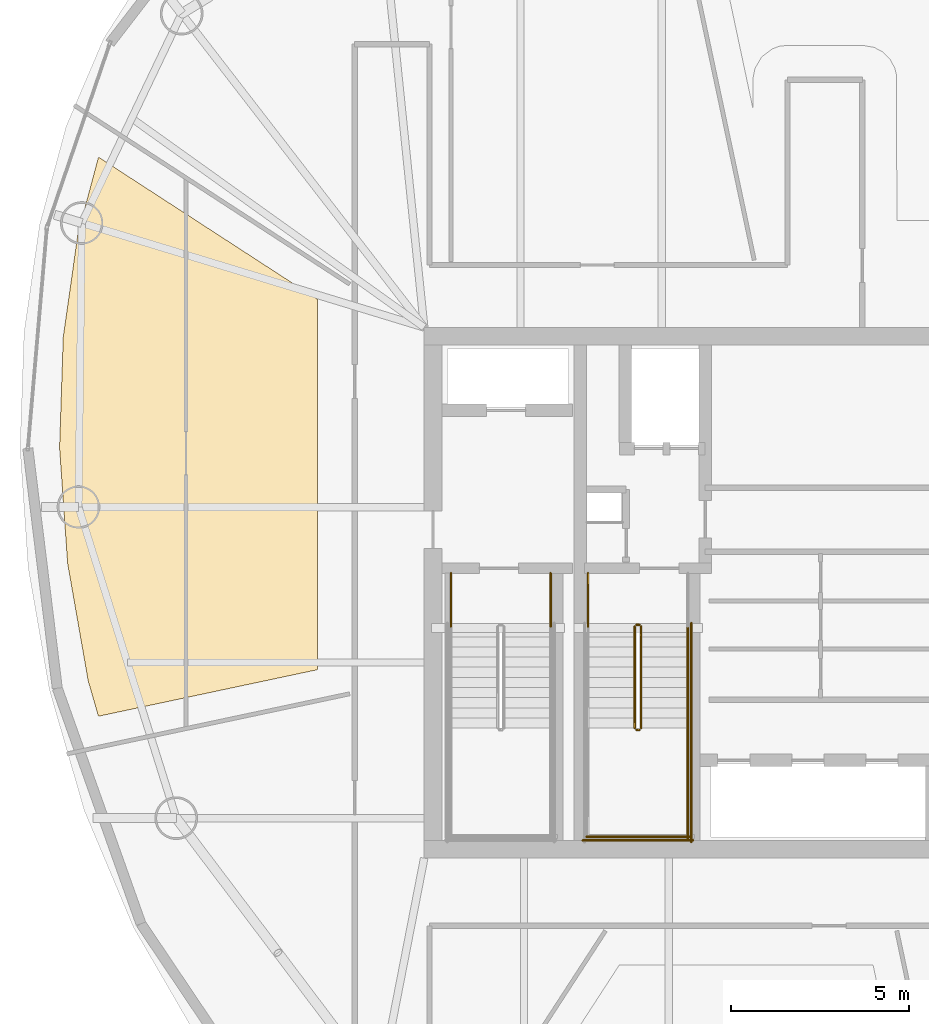
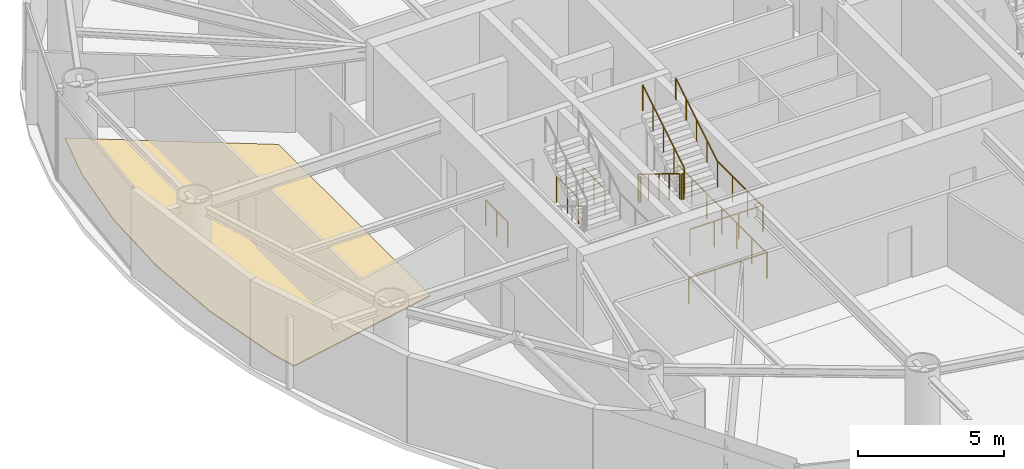
# One storey, part 20 of 22: 12 railings, 1 covering.
"""IFC4 building model written with IfcOpenShell, lengths in metres."""

from ifc_helpers import new_model, si_unit, direction, frame, origin, origin_2d, place, context, subcontext, project, spatial, polyline, circle, outline, extrude, material, layer, layer_set, type_object, element, save


model = new_model("IFC4")

# Units and contexts
model_context = context("Model", 3, precision=1e-05, world=origin(), true_north=direction((0.0, 1.0)))
body_context = subcontext(model_context, "Body", "Model", "MODEL_VIEW")
ifc_project = project(units=[si_unit("LENGTHUNIT", "METRE"), si_unit("AREAUNIT", "SQUARE_METRE"), si_unit("VOLUMEUNIT", "CUBIC_METRE"), si_unit("PLANEANGLEUNIT", "RADIAN"), si_unit("MASSUNIT", "GRAM", prefix="KILO")], contexts=[model_context])

# Site, building, storey
site_placement = place(None, origin())
site = spatial("IfcSite", under=ifc_project, at=site_placement, CompositionType="ELEMENT")
building_placement = place(site_placement, origin())
building = spatial("IfcBuilding", under=site, at=building_placement, Name="Bramvorn Convention Spire", CompositionType="ELEMENT")
storey_placement = place(building_placement, frame((0.0, 0.0, 225.10009765625)))
storey = spatial("IfcBuildingStorey", under=building, at=storey_placement, Name="L57", CompositionType="ELEMENT", Elevation=225.10009765625)

# Covering
ifc_material_1 = material(Name="Calcium-Sulphate Raised Access Office Floor", Category="steel")
ifc_layer = layer(ifc_material_1, 0.044921875)
ifc_layer_set = layer_set([ifc_layer], Name="Calcium-Sulphate Raised Access Office Floor - FLR-RAISED-45")
covering_type = type_object("IfcCoveringType", Name="FLR-RAISED-45", PredefinedType="FLOORING", material=ifc_layer_set)
covering_placement = place(storey_placement, origin())
element("IfcCovering", 1, at=covering_placement, inside=storey, type_object=covering_type, Name="L57 Associate Office Chamber 4 4 raised floor finish", PredefinedType="FLOORING", context=body_context, shape_type="SweptSolid", body=[
    extrude(outline(polyline([(17.31787109375, 23.52294921875), (17.605224609375, 22.533935546875), (23.75, 23.840087890625), (23.75, 34.240478515625), (17.6064453125, 38.230224609375), (17.028564453125, 36.074951171875), (16.6162109375, 33.177734375), (16.512939453125, 30.068603515625), (16.73974609375, 26.822509765625), (17.31787109375, 23.52294921875)])), origin(), (0.0, 0.0, 1.0), 0.044921875),
])

# Railings
ifc_material_2 = material(Name="Painted Steel Balustrade & Guardrail", Category="steel")
railing_type_1 = type_object("IfcRailingType", Name="RL-STAIR-GUARD-1100", PredefinedType="GUARDRAIL", material=ifc_material_2)
for number, where, name in (
    (2, (27.5, 26.550048828125, 0.0), "L57 ST1 stair guard 8"),
    (3, (30.300048828125, 26.550048828125, 0.0), "L57 ST1 stair guard 9"),
):
    element("IfcRailing", number, at=place(storey_placement, frame(where)), inside=storey, type_object=railing_type_1, Name=name, PredefinedType="GUARDRAIL", context=body_context, shape_type="SweptSolid", body=[
        extrude(circle(Radius=0.02392578125, at=origin_2d()), frame((0.0, 0.0, 1.076171875), z_axis=(0.0, -1.0, 0.0), x_axis=(1.0, 0.0, 0.0)), (0.0, 0.0, 1.0), 1.5),
        extrude(circle(Radius=0.02099609375, at=origin_2d()), origin(), (0.0, 0.0, 1.0), 1.052001953125),
        extrude(circle(Radius=0.02099609375, at=origin_2d()), frame((0.0, -0.75, 0.0)), (0.0, 0.0, 1.0), 1.052001953125),
        extrude(circle(Radius=0.02099609375, at=origin_2d()), frame((0.0, -1.5, 0.0)), (0.0, 0.0, 1.0), 1.052001953125),
    ])
railing_1_placement = place(storey_placement, frame((32.659912109375, 25.050048828125, 0.1748046875)))
element("IfcRailing", 4, at=railing_1_placement, inside=storey, type_object=railing_type_1, Name="L57 ST3 stair guard 1", PredefinedType="GUARDRAIL", context=body_context, shape_type="SweptSolid", body=[
    extrude(circle(Radius=0.02392578125, at=origin_2d()), frame((0.0, 0.0, 1.076171875), z_axis=(0.0, -0.852179220489, 0.52325001306), x_axis=(1.0, 0.0, 0.0)), (0.0, 0.0, 1.0), 3.344482421875),
    extrude(circle(Radius=0.02099609375, at=origin_2d()), origin(), (0.0, 0.0, 1.0), 1.052001953125),
    extrude(circle(Radius=0.02099609375, at=origin_2d()), frame((0.0, -0.71240234375, 0.4375)), (0.0, 0.0, 1.0), 1.052001953125),
    extrude(circle(Radius=0.02099609375, at=origin_2d()), frame((0.0, -1.425048828125, 0.875)), (0.0, 0.0, 1.0), 1.052001953125),
    extrude(circle(Radius=0.02099609375, at=origin_2d()), frame((0.0, -2.1376953125, 1.3125)), (0.0, 0.0, 1.0), 1.052001953125),
    extrude(circle(Radius=0.02099609375, at=origin_2d()), frame((0.0, -2.85009765625, 1.75)), (0.0, 0.0, 1.0), 1.052001953125),
])
railing_2_placement = place(storey_placement, frame((32.7099609375, 22.14990234375, 1.9248046875)))
element("IfcRailing", 5, at=railing_2_placement, inside=storey, type_object=railing_type_1, Name="L57 ST3 stair guard 2", PredefinedType="GUARDRAIL", context=body_context, shape_type="SweptSolid", body=[
    extrude(circle(Radius=0.02392578125, at=origin_2d()), frame((0.0, 0.0, 1.076171875), z_axis=(1.0, 0.0, 0.0), x_axis=(0.0, 1.0, 0.0)), (0.0, 0.0, 1.0), 0.080078125),
    extrude(circle(Radius=0.02099609375, at=origin_2d()), origin(), (0.0, 0.0, 1.0), 1.052001953125),
    extrude(circle(Radius=0.02099609375, at=origin_2d()), frame((0.080078125, 0.0, 0.0)), (0.0, 0.0, 1.0), 1.052001953125),
])
railing_3_placement = place(storey_placement, frame((34.14990234375, 22.199951171875, 1.9248046875)))
element("IfcRailing", 6, at=railing_3_placement, inside=storey, type_object=railing_type_1, Name="L57 ST3 stair guard 4", PredefinedType="GUARDRAIL", context=body_context, shape_type="SweptSolid", body=[
    extrude(circle(Radius=0.02392578125, at=origin_2d()), frame((0.0, 0.0, 1.076171875), z_axis=(0.0, -1.0, 0.0), x_axis=(1.0, 0.0, 0.0)), (0.0, 0.0, 1.0), 3.099853515625),
    extrude(circle(Radius=0.02099609375, at=origin_2d()), origin(), (0.0, 0.0, 1.0), 1.052001953125),
    extrude(circle(Radius=0.02099609375, at=origin_2d()), frame((0.0, -1.033203125, 0.0)), (0.0, 0.0, 1.0), 1.052001953125),
    extrude(circle(Radius=0.02099609375, at=origin_2d()), frame((0.0, -2.066650390625, 0.0)), (0.0, 0.0, 1.0), 1.052001953125),
    extrude(circle(Radius=0.02099609375, at=origin_2d()), frame((0.0, -3.099853515625, 0.0)), (0.0, 0.0, 1.0), 1.052001953125),
])
railing_4_placement = place(storey_placement, frame((31.300048828125, 19.14990234375, 1.9248046875)))
element("IfcRailing", 7, at=railing_4_placement, inside=storey, type_object=railing_type_1, Name="L57 ST3 stair guard 5", PredefinedType="GUARDRAIL", context=body_context, shape_type="SweptSolid", body=[
    extrude(circle(Radius=0.02392578125, at=origin_2d()), frame((0.0, 0.0, 1.076171875), z_axis=(1.0, 0.0, 0.0), x_axis=(0.0, 1.0, 0.0)), (0.0, 0.0, 1.0), 2.89990234375),
    extrude(circle(Radius=0.02099609375, at=origin_2d()), origin(), (0.0, 0.0, 1.0), 1.052001953125),
    extrude(circle(Radius=0.02099609375, at=origin_2d()), frame((0.966552734375, 0.0, 0.0)), (0.0, 0.0, 1.0), 1.052001953125),
    extrude(circle(Radius=0.02099609375, at=origin_2d()), frame((1.933349609375, 0.0, 0.0)), (0.0, 0.0, 1.0), 1.052001953125),
    extrude(circle(Radius=0.02099609375, at=origin_2d()), frame((2.89990234375, 0.0, 0.0)), (0.0, 0.0, 1.0), 1.052001953125),
])
railing_5_placement = place(storey_placement, frame((32.840087890625, 22.199951171875, 2.099853515625)))
element("IfcRailing", 8, at=railing_5_placement, inside=storey, type_object=railing_type_1, Name="L57 ST3 stair guard 6", PredefinedType="GUARDRAIL", context=body_context, shape_type="SweptSolid", body=[
    extrude(circle(Radius=0.02392578125, at=origin_2d()), frame((0.0, 0.0, 1.076171875), z_axis=(0.0, 0.852179220489, 0.52325001306), x_axis=(-1.0, 0.0, 0.0)), (0.0, 0.0, 1.0), 3.344482421875),
    extrude(circle(Radius=0.02099609375, at=origin_2d()), origin(), (0.0, 0.0, 1.0), 1.052001953125),
    extrude(circle(Radius=0.02099609375, at=origin_2d()), frame((0.0, 0.71240234375, 0.4375)), (0.0, 0.0, 1.0), 1.052001953125),
    extrude(circle(Radius=0.02099609375, at=origin_2d()), frame((0.0, 1.425048828125, 0.875)), (0.0, 0.0, 1.0), 1.052001953125),
    extrude(circle(Radius=0.02099609375, at=origin_2d()), frame((0.0, 2.1376953125, 1.3125)), (0.0, 0.0, 1.0), 1.052001953125),
    extrude(circle(Radius=0.02099609375, at=origin_2d()), frame((0.0, 2.85009765625, 1.75)), (0.0, 0.0, 1.0), 1.052001953125),
])
railing_6_placement = place(storey_placement, frame((32.7099609375, 25.10009765625, 0.0)))
element("IfcRailing", 9, at=railing_6_placement, inside=storey, type_object=railing_type_1, Name="L57 ST3 stair guard 7", PredefinedType="GUARDRAIL", context=body_context, shape_type="SweptSolid", body=[
    extrude(circle(Radius=0.02392578125, at=origin_2d()), frame((0.0, 0.0, 1.076171875), z_axis=(1.0, 0.0, 0.0), x_axis=(0.0, 1.0, 0.0)), (0.0, 0.0, 1.0), 0.080078125),
    extrude(circle(Radius=0.02099609375, at=origin_2d()), origin(), (0.0, 0.0, 1.0), 1.052001953125),
    extrude(circle(Radius=0.02099609375, at=origin_2d()), frame((0.080078125, 0.0, 0.0)), (0.0, 0.0, 1.0), 1.052001953125),
])
railing_7_placement = place(storey_placement, frame((31.35009765625, 26.550048828125, 0.0)))
element("IfcRailing", 10, at=railing_7_placement, inside=storey, type_object=railing_type_1, Name="L57 ST3 stair guard 8", PredefinedType="GUARDRAIL", context=body_context, shape_type="SweptSolid", body=[
    extrude(circle(Radius=0.02392578125, at=origin_2d()), frame((0.0, 0.0, 1.076171875), z_axis=(0.0, -1.0, 0.0), x_axis=(1.0, 0.0, 0.0)), (0.0, 0.0, 1.0), 1.5),
    extrude(circle(Radius=0.02099609375, at=origin_2d()), origin(), (0.0, 0.0, 1.0), 1.052001953125),
    extrude(circle(Radius=0.02099609375, at=origin_2d()), frame((0.0, -0.75, 0.0)), (0.0, 0.0, 1.0), 1.052001953125),
    extrude(circle(Radius=0.02099609375, at=origin_2d()), frame((0.0, -1.5, 0.0)), (0.0, 0.0, 1.0), 1.052001953125),
])
railing_8_placement = place(storey_placement, frame((34.25, 25.14990234375, 0.0)))
element("IfcRailing", 11, at=railing_8_placement, inside=storey, type_object=railing_type_1, Name="L57 ST3 stair guard 11", PredefinedType="GUARDRAIL", context=body_context, shape_type="SweptSolid", body=[
    extrude(circle(Radius=0.02392578125, at=origin_2d()), frame((0.0, 0.0, 1.076171875), z_axis=(0.0, -1.0, 0.0), x_axis=(1.0, 0.0, 0.0)), (0.0, 0.0, 1.0), 6.14990234375),
    extrude(circle(Radius=0.02099609375, at=origin_2d()), origin(), (0.0, 0.0, 1.0), 1.052001953125),
    extrude(circle(Radius=0.02099609375, at=origin_2d()), frame((0.0, -1.02490234375, 0.0)), (0.0, 0.0, 1.0), 1.052001953125),
    extrude(circle(Radius=0.02099609375, at=origin_2d()), frame((0.0, -2.050048828125, 0.0)), (0.0, 0.0, 1.0), 1.052001953125),
    extrude(circle(Radius=0.02099609375, at=origin_2d()), frame((0.0, -3.074951171875, 0.0)), (0.0, 0.0, 1.0), 1.052001953125),
    extrude(circle(Radius=0.02099609375, at=origin_2d()), frame((0.0, -4.099853515625, 0.0)), (0.0, 0.0, 1.0), 1.052001953125),
    extrude(circle(Radius=0.02099609375, at=origin_2d()), frame((0.0, -5.125, 0.0)), (0.0, 0.0, 1.0), 1.052001953125),
    extrude(circle(Radius=0.02099609375, at=origin_2d()), frame((0.0, -6.14990234375, 0.0)), (0.0, 0.0, 1.0), 1.052001953125),
])
railing_9_placement = place(storey_placement, frame((31.199951171875, 19.050048828125, 0.0)))
element("IfcRailing", 12, at=railing_9_placement, inside=storey, type_object=railing_type_1, Name="L57 ST3 stair guard 12", PredefinedType="GUARDRAIL", context=body_context, shape_type="SweptSolid", body=[
    extrude(circle(Radius=0.02392578125, at=origin_2d()), frame((0.0, 0.0, 1.076171875), z_axis=(1.0, 0.0, 0.0), x_axis=(0.0, 1.0, 0.0)), (0.0, 0.0, 1.0), 3.10009765625),
    extrude(circle(Radius=0.02099609375, at=origin_2d()), origin(), (0.0, 0.0, 1.0), 1.052001953125),
    extrude(circle(Radius=0.02099609375, at=origin_2d()), frame((1.033447265625, 0.0, 0.0)), (0.0, 0.0, 1.0), 1.052001953125),
    extrude(circle(Radius=0.02099609375, at=origin_2d()), frame((2.066650390625, 0.0, 0.0)), (0.0, 0.0, 1.0), 1.052001953125),
    extrude(circle(Radius=0.02099609375, at=origin_2d()), frame((3.10009765625, 0.0, 0.0)), (0.0, 0.0, 1.0), 1.052001953125),
])
ifc_material_3 = material(Name="Brushed Bronze Tubular Handrail", Category="aluminium")
railing_type_2 = type_object("IfcRailingType", Name="RL-STAIR-HR-920", PredefinedType="HANDRAIL", material=ifc_material_3)
railing_10_placement = place(storey_placement, frame((34.14990234375, 22.199951171875, 2.099853515625)))
element("IfcRailing", 13, at=railing_10_placement, inside=storey, type_object=railing_type_2, Name="L57 ST3 stair handrail 2", PredefinedType="HANDRAIL", context=body_context, shape_type="SweptSolid", body=[
    extrude(circle(Radius=0.02392578125, at=origin_2d()), frame((0.0, 0.0, 0.89599609375), z_axis=(0.0, 0.852179220489, 0.52325001306), x_axis=(-1.0, 0.0, 0.0)), (0.0, 0.0, 1.0), 3.344482421875),
    extrude(circle(Radius=0.02099609375, at=origin_2d()), origin(), (0.0, 0.0, 1.0), 0.871826171875),
    extrude(circle(Radius=0.02099609375, at=origin_2d()), frame((0.0, 0.71240234375, 0.4375)), (0.0, 0.0, 1.0), 0.871826171875),
    extrude(circle(Radius=0.02099609375, at=origin_2d()), frame((0.0, 1.425048828125, 0.875)), (0.0, 0.0, 1.0), 0.871826171875),
    extrude(circle(Radius=0.02099609375, at=origin_2d()), frame((0.0, 2.1376953125, 1.3125)), (0.0, 0.0, 1.0), 0.871826171875),
    extrude(circle(Radius=0.02099609375, at=origin_2d()), frame((0.0, 2.85009765625, 1.75)), (0.0, 0.0, 1.0), 0.871826171875),
])

save(model, "model.ifc")
